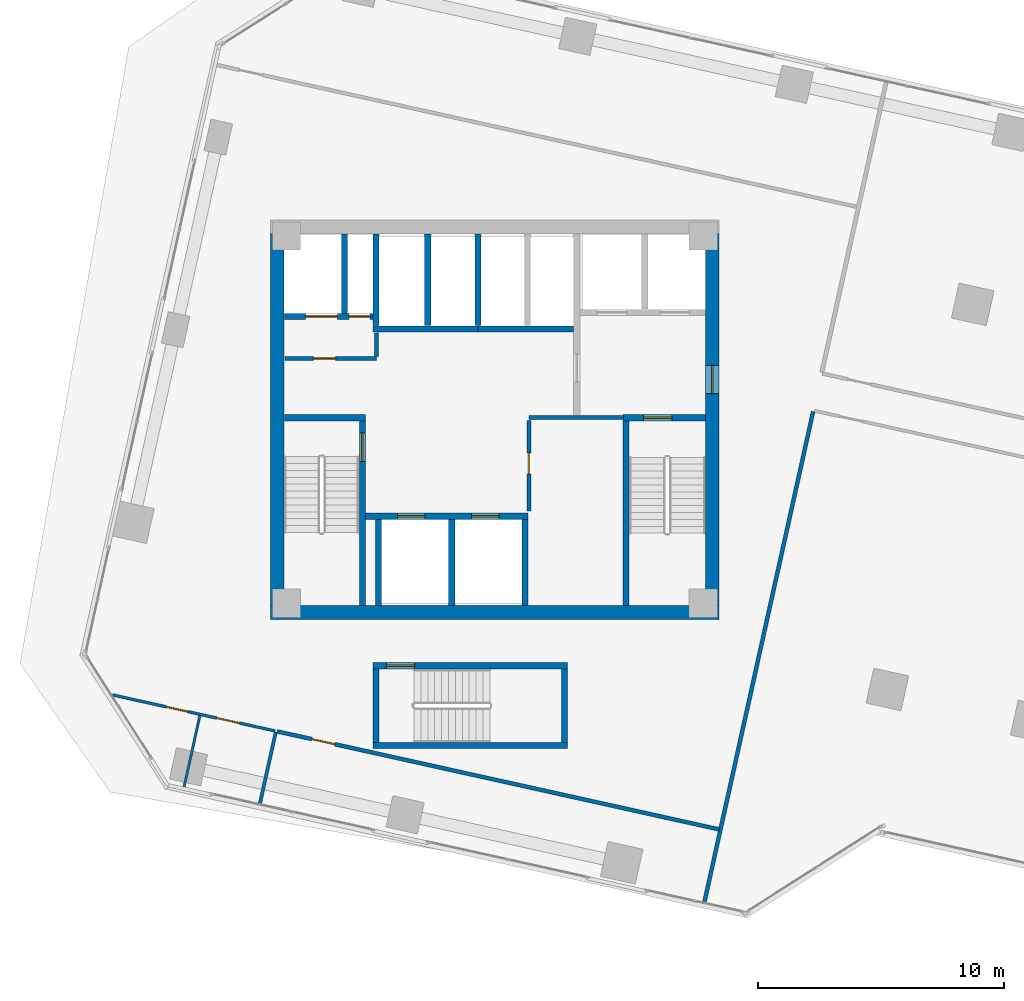
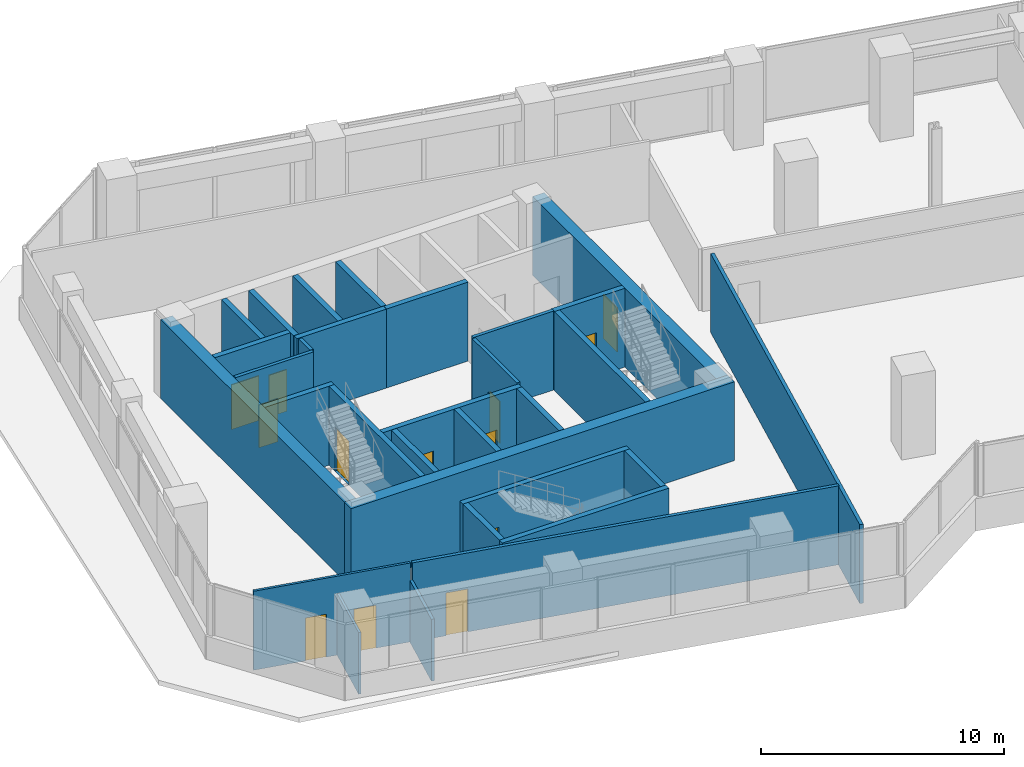
# One storey, part 20 of 25: 31 walls, 13 doors, 13 openings.
"""IFC4 building model written with IfcOpenShell, lengths in metres."""

from ifc_helpers import new_model, si_unit, direction, frame, frame_2d, origin, place, context, subcontext, project, spatial, rectangle, extrude, source, transform, mapped, material, layer, layer_set, type_object, element, fill, save


model = new_model("IFC4")

# Units and contexts
model_context = context("Model", 3, precision=1e-05, world=origin(), true_north=direction((0.0, 1.0)))
body_context = subcontext(model_context, "Body", "Model", "MODEL_VIEW")
ifc_project = project(units=[si_unit("LENGTHUNIT", "METRE"), si_unit("AREAUNIT", "SQUARE_METRE"), si_unit("VOLUMEUNIT", "CUBIC_METRE"), si_unit("PLANEANGLEUNIT", "RADIAN"), si_unit("MASSUNIT", "GRAM", prefix="KILO")], contexts=[model_context])

# Site, building, storey
site_placement = place(None, origin())
site = spatial("IfcSite", under=ifc_project, at=site_placement, CompositionType="ELEMENT")
building_placement = place(site_placement, origin())
building = spatial("IfcBuilding", under=site, at=building_placement, Name="Torre Montelarca", CompositionType="ELEMENT")
storey_placement = place(building_placement, frame((0.0, 0.0, 87.39990234375)))
storey = spatial("IfcBuildingStorey", under=building, at=storey_placement, Name="L19", CompositionType="ELEMENT", Elevation=87.39990234375)

# Wall, opening, door
ifc_material_1 = material(Name="Concrete C40/50", Category="concrete")
ifc_layer_1 = layer(ifc_material_1, 0.25, Name="Concrete C40/50", Category="concrete")
ifc_layer_set_1 = layer_set([ifc_layer_1], Name="Concrete C40/50")
wall_type_1 = type_object("IfcWallType", Name="CW-SHAFT-250", PredefinedType="SHEAR", material=ifc_layer_set_1)
wall_1_placement = place(storey_placement, frame((12.625, 24.4599609375, 0.0), z_axis=(0.0, 0.0, 1.0), x_axis=(0.0, 1.0, 0.0)))
wall_1 = element("IfcWall", 1, at=wall_1_placement, inside=storey, type_object=wall_type_1, Name="L19 Core Shear Wall SH-ST1-E", PredefinedType="SHEAR", context=body_context, shape_type="SweptSolid", body=[
    extrude(rectangle(XDim=7.489990234375, YDim=0.25, at=frame_2d((3.7451171875, 0.0))), origin(), (0.0, 0.0, 1.0), 3.960205078125),
])
opening_1_placement = place(wall_1_placement, frame((5.85009765625, 0.0, 0.0)))
opening_1 = element("IfcOpeningElement", 2, at=opening_1_placement, cuts=wall_1, Name="Opening FD-ST1", PredefinedType="OPENING", context=body_context, shape_type="SweptSolid", body=[
    extrude(rectangle(XDim=1.14990234375, YDim=2.199951171875, at=frame_2d((0.574951171875, 1.10009765625))), frame((0.0, 0.135009765625, 0.0), z_axis=(0.0, -1.0, 0.0), x_axis=(1.0, 0.0, 0.0)), (0.0, 0.0, 1.0), 0.27001953125),
])
ifc_material_2 = material(Name="Galvanized steel fire door", Category="steel")
door_type_1 = type_object("IfcDoorType", Name="DR-STAIR-115", OperationType="NOTDEFINED", PredefinedType="DOOR", material=ifc_material_2)
shared_shape_1 = source(origin(), body_context, "Body", "SweptSolid", [
    extrude(rectangle(XDim=1.14990234375, YDim=2.199951171875, at=frame_2d((0.574951171875, 1.10009765625))), frame((0.0, 0.02490234375, 0.0), z_axis=(0.0, -1.0, 0.0), x_axis=(1.0, 0.0, 0.0)), (0.0, 0.0, 1.0), 0.050048828125),
])
door_1_placement = place(opening_1_placement, origin())
door_1 = element("IfcDoor", 3, at=door_1_placement, inside=storey, type_object=door_type_1, Name="L19 Exit Stair ST1 Fire Door", OperationType="SINGLE_SWING_RIGHT", OverallHeight=2.199951171875, OverallWidth=1.14990234375, PredefinedType="DOOR", context=body_context, shape_type="MappedRepresentation", body=[
    mapped(shared_shape_1, transform((0.0, 0.0, 0.0), scale=1.0)),
])
fill(opening_1, door_1)

# Walls
wall_2_placement = place(storey_placement, frame((9.4599609375, 32.074951171875, 0.0), z_axis=(0.0, 0.0, 1.0), x_axis=(1.0, 0.0, 0.0)))
element("IfcWall", 4, at=wall_2_placement, inside=storey, type_object=wall_type_1, Name="L19 Core Shear Wall SH-ST1-N", PredefinedType="SHEAR", context=body_context, shape_type="SweptSolid", body=[
    extrude(rectangle(XDim=3.2900390625, YDim=0.25, at=frame_2d((1.64501953125, 0.0))), origin(), (0.0, 0.0, 1.0), 3.960205078125),
])
wall_3_placement = place(storey_placement, frame((23.31494140625, 24.4599609375, 0.0), z_axis=(0.0, 0.0, 1.0), x_axis=(0.0, 1.0, 0.0)))
element("IfcWall", 5, at=wall_3_placement, inside=storey, type_object=wall_type_1, Name="L19 Core Shear Wall SH-ST2-W", PredefinedType="SHEAR", context=body_context, shape_type="SweptSolid", body=[
    extrude(rectangle(XDim=7.489990234375, YDim=0.25, at=frame_2d((3.7451171875, 0.0))), origin(), (0.0, 0.0, 1.0), 3.960205078125),
])

# Wall, opening, door
wall_4_placement = place(storey_placement, frame((23.18994140625, 32.074951171875, 0.0), z_axis=(0.0, 0.0, 1.0), x_axis=(1.0, 0.0, 0.0)))
wall_4 = element("IfcWall", 6, at=wall_4_placement, inside=storey, type_object=wall_type_1, Name="L19 Core Shear Wall SH-ST2-N", PredefinedType="SHEAR", context=body_context, shape_type="SweptSolid", body=[
    extrude(rectangle(XDim=3.35009765625, YDim=0.25, at=frame_2d((1.675048828125, 0.0))), origin(), (0.0, 0.0, 1.0), 3.960205078125),
])
opening_2_placement = place(wall_4_placement, frame((0.85009765625, 0.0, 0.0)))
opening_2 = element("IfcOpeningElement", 7, at=opening_2_placement, cuts=wall_4, Name="Opening FD-ST1", PredefinedType="OPENING", context=body_context, shape_type="SweptSolid", body=[
    extrude(rectangle(XDim=1.14990234375, YDim=2.199951171875, at=frame_2d((0.574951171875, 1.10009765625))), frame((0.0, 0.135009765625, 0.0), z_axis=(0.0, -1.0, 0.0), x_axis=(1.0, 0.0, 0.0)), (0.0, 0.0, 1.0), 0.27001953125),
])
door_2_placement = place(opening_2_placement, origin())
door_2 = element("IfcDoor", 8, at=door_2_placement, inside=storey, type_object=door_type_1, Name="L19 Exit Stair ST2 Fire Door", OperationType="SINGLE_SWING_RIGHT", OverallHeight=2.199951171875, OverallWidth=1.14990234375, PredefinedType="DOOR", context=body_context, shape_type="MappedRepresentation", body=[
    mapped(shared_shape_1, transform((0.0, 0.0, 0.0), scale=1.0)),
])
fill(opening_2, door_2)

# Wall, openings, doors
wall_5_placement = place(storey_placement, frame((9.4599609375, 36.179931640625, 0.0), z_axis=(0.0, 0.0, 1.0), x_axis=(1.0, 0.0, 0.0)))
wall_5 = element("IfcWall", 9, at=wall_5_placement, inside=storey, type_object=wall_type_1, Name="L19 Core Shear Wall SH-SV1-S", PredefinedType="SHEAR", context=body_context, shape_type="SweptSolid", body=[
    extrude(rectangle(XDim=3.7900390625, YDim=0.25, at=frame_2d((1.89501953125, 0.0))), origin(), (0.0, 0.0, 1.0), 3.960205078125),
])
opening_3_placement = place(wall_5_placement, frame((2.6201171875, 0.0, 0.0)))
opening_3 = element("IfcOpeningElement", 10, at=opening_3_placement, cuts=wall_5, Name="Opening FD-085", PredefinedType="OPENING", context=body_context, shape_type="SweptSolid", body=[
    extrude(rectangle(XDim=0.85009765625, YDim=2.10009765625, at=frame_2d((0.425048828125, 1.050048828125))), frame((0.0, 0.135009765625, 0.0), z_axis=(0.0, -1.0, 0.0), x_axis=(1.0, 0.0, 0.0)), (0.0, 0.0, 1.0), 0.27001953125),
])
opening_4_placement = place(wall_5_placement, frame((0.85009765625, 0.0, 0.0)))
opening_4 = element("IfcOpeningElement", 11, at=opening_4_placement, cuts=wall_5, Name="Opening LD-130", PredefinedType="OPENING", context=body_context, shape_type="SweptSolid", body=[
    extrude(rectangle(XDim=1.300048828125, YDim=2.25, at=frame_2d((0.64990234375, 1.125))), frame((0.0, 0.135009765625, 0.0), z_axis=(0.0, -1.0, 0.0), x_axis=(1.0, 0.0, 0.0)), (0.0, 0.0, 1.0), 0.27001953125),
])
ifc_material_3 = material(Name="Steel riser access fire door", Category="steel")
door_type_2 = type_object("IfcDoorType", Name="DR-RISER-085", OperationType="NOTDEFINED", PredefinedType="DOOR", material=ifc_material_3)
shared_shape_2 = source(origin(), body_context, "Body", "SweptSolid", [
    extrude(rectangle(XDim=0.85009765625, YDim=2.10009765625, at=frame_2d((0.425048828125, 1.050048828125))), frame((0.0, 0.02490234375, 0.0), z_axis=(0.0, -1.0, 0.0), x_axis=(1.0, 0.0, 0.0)), (0.0, 0.0, 1.0), 0.050048828125),
])
door_3_placement = place(opening_3_placement, origin())
door_3 = element("IfcDoor", 12, at=door_3_placement, inside=storey, type_object=door_type_2, Name="L19 Electrical Riser Shaft Access Door", OperationType="SINGLE_SWING_RIGHT", OverallHeight=2.10009765625, OverallWidth=0.85009765625, PredefinedType="DOOR", context=body_context, shape_type="MappedRepresentation", body=[
    mapped(shared_shape_2, transform((0.0, 0.0, 0.0), scale=1.0)),
])
fill(opening_3, door_3)
ifc_material_4 = material(Name="Brushed stainless steel AISI 316", Category="steel")
door_type_3 = type_object("IfcDoorType", Name="DR-LIFT-130", OperationType="SLIDING_TO_LEFT", PredefinedType="DOOR", material=ifc_material_4)
shared_shape_3 = source(origin(), body_context, "Body", "SweptSolid", [
    extrude(rectangle(XDim=1.300048828125, YDim=2.25, at=frame_2d((0.64990234375, 1.125))), frame((0.0, 0.02490234375, 0.0), z_axis=(0.0, -1.0, 0.0), x_axis=(1.0, 0.0, 0.0)), (0.0, 0.0, 1.0), 0.050048828125),
])
door_4_placement = place(opening_4_placement, origin())
door_4 = element("IfcDoor", 13, at=door_4_placement, inside=storey, type_object=door_type_3, Name="L19 Lift Landing Sliding Door SV-1", OperationType="SLIDING_TO_LEFT", OverallHeight=2.25, OverallWidth=1.300048828125, PredefinedType="DOOR", context=body_context, shape_type="MappedRepresentation", body=[
    mapped(shared_shape_3, transform((0.0, 0.0, 0.0), scale=1.0)),
])
fill(opening_4, door_4)

# Wall
wall_6_placement = place(storey_placement, frame((11.89990234375, 36.31005859375, 0.0), z_axis=(0.0, 0.0, 1.0), x_axis=(0.0, 1.0, 0.0)))
element("IfcWall", 14, at=wall_6_placement, inside=storey, type_object=wall_type_1, Name="L19 Core Shear Wall SH-SV1-E", PredefinedType="SHEAR", context=body_context, shape_type="SweptSolid", body=[
    extrude(rectangle(XDim=3.22998046875, YDim=0.25, at=frame_2d((1.614990234375, 0.0))), origin(), (0.0, 0.0, 1.0), 3.960205078125),
])

# Wall, openings, doors
wall_7_placement = place(storey_placement, frame((12.6298828125, 28.080078125, 0.0), z_axis=(0.0, 0.0, 1.0), x_axis=(1.0, 0.0, 0.0)))
wall_7 = element("IfcWall", 15, at=wall_7_placement, inside=storey, type_object=wall_type_1, Name="L19 Core Shear Wall SH-PLL-N", PredefinedType="SHEAR", context=body_context, shape_type="SweptSolid", body=[
    extrude(rectangle(XDim=6.710205078125, YDim=0.25, at=frame_2d((3.35498046875, 0.0))), origin(), (0.0, 0.0, 1.0), 3.960205078125),
])
opening_5_placement = place(wall_7_placement, frame((1.429931640625, 0.0, 0.0)))
opening_5 = element("IfcOpeningElement", 16, at=opening_5_placement, cuts=wall_7, Name="Opening LD-110", PredefinedType="OPENING", context=body_context, shape_type="SweptSolid", body=[
    extrude(rectangle(XDim=1.10009765625, YDim=2.199951171875, at=frame_2d((0.550048828125, 1.10009765625))), frame((0.0, 0.135009765625, 0.0), z_axis=(0.0, -1.0, 0.0), x_axis=(1.0, 0.0, 0.0)), (0.0, 0.0, 1.0), 0.27001953125),
])
opening_6_placement = place(wall_7_placement, frame((4.429931640625, 0.0, 0.0)))
opening_6 = element("IfcOpeningElement", 17, at=opening_6_placement, cuts=wall_7, Name="Opening LD-110", PredefinedType="OPENING", context=body_context, shape_type="SweptSolid", body=[
    extrude(rectangle(XDim=1.10009765625, YDim=2.199951171875, at=frame_2d((0.550048828125, 1.10009765625))), frame((0.0, 0.135009765625, 0.0), z_axis=(0.0, -1.0, 0.0), x_axis=(1.0, 0.0, 0.0)), (0.0, 0.0, 1.0), 0.27001953125),
])
door_type_4 = type_object("IfcDoorType", Name="DR-LIFT-110", OperationType="SLIDING_TO_LEFT", PredefinedType="DOOR", material=ifc_material_4)
shared_shape_4 = source(origin(), body_context, "Body", "SweptSolid", [
    extrude(rectangle(XDim=1.10009765625, YDim=2.199951171875, at=frame_2d((0.550048828125, 1.10009765625))), frame((0.0, 0.02490234375, 0.0), z_axis=(0.0, -1.0, 0.0), x_axis=(1.0, 0.0, 0.0)), (0.0, 0.0, 1.0), 0.050048828125),
])
door_5_placement = place(opening_5_placement, origin())
door_5 = element("IfcDoor", 18, at=door_5_placement, inside=storey, type_object=door_type_4, Name="L19 Lift Landing Sliding Door PL-L1", OperationType="SLIDING_TO_LEFT", OverallHeight=2.199951171875, OverallWidth=1.10009765625, PredefinedType="DOOR", context=body_context, shape_type="MappedRepresentation", body=[
    mapped(shared_shape_4, transform((0.0, 0.0, 0.0), scale=1.0)),
])
fill(opening_5, door_5)
door_6_placement = place(opening_6_placement, origin())
door_6 = element("IfcDoor", 19, at=door_6_placement, inside=storey, type_object=door_type_4, Name="L19 Lift Landing Sliding Door PL-L2", OperationType="SLIDING_TO_RIGHT", OverallHeight=2.199951171875, OverallWidth=1.10009765625, PredefinedType="DOOR", context=body_context, shape_type="MappedRepresentation", body=[
    mapped(shared_shape_4, transform((0.0, 0.0, 0.0), scale=1.0)),
])
fill(opening_6, door_6)

# Walls
for number, where, z_axis, x_axis, name in (
    (20, (13.280029296875, 24.4599609375, 0.0), (0.0, 0.0, 1.0), (0.0, 1.0, 0.0), "L19 Core Shear Wall SH-PLL-W"),
    (21, (16.25, 24.4599609375, 0.0), (0.0, 0.0, 1.0), (0.0, 1.0, 0.0), "L19 Core Shear Wall SH-PLL-M"),
    (22, (19.219970703125, 24.4599609375, 0.0), (0.0, 0.0, 1.0), (0.0, 1.0, 0.0), "L19 Core Shear Wall SH-PLL-E"),
):
    element("IfcWall", number, at=place(storey_placement, frame(where, z_axis=z_axis, x_axis=x_axis)), inside=storey, type_object=wall_type_1, Name=name, PredefinedType="SHEAR", context=body_context, shape_type="SweptSolid", body=[
        extrude(rectangle(XDim=3.489990234375, YDim=0.25, at=frame_2d((1.7451171875, 0.0))), origin(), (0.0, 0.0, 1.0), 3.960205078125),
    ])
wall_8_placement = place(storey_placement, frame((13.06005859375, 35.679931640625, 0.0), z_axis=(0.0, 0.0, 1.0), x_axis=(1.0, 0.0, 0.0)))
element("IfcWall", 23, at=wall_8_placement, inside=storey, type_object=wall_type_1, Name="L19 Core Shear Wall SH-PLM-S", PredefinedType="SHEAR", context=body_context, shape_type="SweptSolid", body=[
    extrude(rectangle(XDim=4.25, YDim=0.25, at=frame_2d((2.125, 0.0))), origin(), (0.0, 0.0, 1.0), 3.960205078125),
])
for number, where, z_axis, x_axis, name in (
    (24, (13.179931640625, 35.81005859375, 0.0), (0.0, 0.0, 1.0), (0.0, 1.0, 0.0), "L19 Core Shear Wall SH-PLM-W"),
    (25, (15.280029296875, 35.81005859375, 0.0), (0.0, 0.0, 1.0), (0.0, 1.0, 0.0), "L19 Core Shear Wall SH-PLM-M"),
):
    element("IfcWall", number, at=place(storey_placement, frame(where, z_axis=z_axis, x_axis=x_axis)), inside=storey, type_object=wall_type_1, Name=name, PredefinedType="SHEAR", context=body_context, shape_type="SweptSolid", body=[
        extrude(rectangle(XDim=3.72998046875, YDim=0.25, at=frame_2d((1.864990234375, 0.0))), origin(), (0.0, 0.0, 1.0), 3.960205078125),
    ])
wall_9_placement = place(storey_placement, frame((17.320068359375, 35.679931640625, 0.0), z_axis=(0.0, 0.0, 1.0), x_axis=(1.0, 0.0, 0.0)))
element("IfcWall", 26, at=wall_9_placement, inside=storey, type_object=wall_type_1, Name="L19 Core Shear Wall SH-PLH-S", PredefinedType="SHEAR", context=body_context, shape_type="SweptSolid", body=[
    extrude(rectangle(XDim=3.869873046875, YDim=0.25, at=frame_2d((1.93505859375, 0.0))), origin(), (0.0, 0.0, 1.0), 3.960205078125),
])
wall_10_placement = place(storey_placement, frame((17.320068359375, 35.81005859375, 0.0), z_axis=(0.0, 0.0, 1.0), x_axis=(0.0, 1.0, 0.0)))
element("IfcWall", 27, at=wall_10_placement, inside=storey, type_object=wall_type_1, Name="L19 Core Shear Wall SH-PLH-W", PredefinedType="SHEAR", context=body_context, shape_type="SweptSolid", body=[
    extrude(rectangle(XDim=3.72998046875, YDim=0.25, at=frame_2d((1.864990234375, 0.0))), origin(), (0.0, 0.0, 1.0), 3.960205078125),
])
for number, where, z_axis, x_axis, name in (
    (28, (13.175048828125, 18.89990234375, 0.0), (0.0, 0.0, 1.0), (0.0, 1.0, 0.0), "L19 Core Shear Wall SH-ST3-W"),
    (29, (20.824951171875, 18.89990234375, 0.0), (0.0, 0.0, 1.0), (0.0, 1.0, 0.0), "L19 Core Shear Wall SH-ST3-E"),
):
    element("IfcWall", number, at=place(storey_placement, frame(where, z_axis=z_axis, x_axis=x_axis)), inside=storey, type_object=wall_type_1, Name=name, PredefinedType="SHEAR", context=body_context, shape_type="SweptSolid", body=[
        extrude(rectangle(XDim=2.989990234375, YDim=0.25, at=frame_2d((1.4951171875, 0.0))), origin(), (0.0, 0.0, 1.0), 3.960205078125),
    ])
wall_11_placement = place(storey_placement, frame((13.050048828125, 18.77490234375, 0.0), z_axis=(0.0, 0.0, 1.0), x_axis=(1.0, 0.0, 0.0)))
element("IfcWall", 30, at=wall_11_placement, inside=storey, type_object=wall_type_1, Name="L19 Core Shear Wall SH-ST3-S", PredefinedType="SHEAR", context=body_context, shape_type="SweptSolid", body=[
    extrude(rectangle(XDim=7.89990234375, YDim=0.25, at=frame_2d((3.949951171875, 0.0))), origin(), (0.0, 0.0, 1.0), 3.960205078125),
])

# Wall, opening, door
wall_12_placement = place(storey_placement, frame((13.050048828125, 22.014892578125, 0.0), z_axis=(0.0, 0.0, 1.0), x_axis=(1.0, 0.0, 0.0)))
wall_12 = element("IfcWall", 31, at=wall_12_placement, inside=storey, type_object=wall_type_1, Name="L19 Core Shear Wall SH-ST3-N", PredefinedType="SHEAR", context=body_context, shape_type="SweptSolid", body=[
    extrude(rectangle(XDim=7.89990234375, YDim=0.25, at=frame_2d((3.949951171875, 0.0))), origin(), (0.0, 0.0, 1.0), 3.960205078125),
])
opening_7_placement = place(wall_12_placement, frame((0.550048828125, 0.0, 0.0)))
opening_7 = element("IfcOpeningElement", 32, at=opening_7_placement, cuts=wall_12, Name="Opening FD-ST1", PredefinedType="OPENING", context=body_context, shape_type="SweptSolid", body=[
    extrude(rectangle(XDim=1.14990234375, YDim=2.199951171875, at=frame_2d((0.574951171875, 1.10009765625))), frame((0.0, 0.135009765625, 0.0), z_axis=(0.0, -1.0, 0.0), x_axis=(1.0, 0.0, 0.0)), (0.0, 0.0, 1.0), 0.27001953125),
])
door_7_placement = place(opening_7_placement, origin())
door_7 = element("IfcDoor", 33, at=door_7_placement, inside=storey, type_object=door_type_1, Name="L19 Exit Stair ST3 Fire Door", OperationType="SINGLE_SWING_LEFT", OverallHeight=2.199951171875, OverallWidth=1.14990234375, PredefinedType="DOOR", context=body_context, shape_type="MappedRepresentation", body=[
    mapped(shared_shape_1, transform((0.0, 0.0, 0.0), scale=1.0)),
])
fill(opening_7, door_7)

# Wall
ifc_material_5 = material(Name="Concrete C70/85", Category="concrete")
ifc_layer_2 = layer(ifc_material_5, 0.550048828125, Name="Concrete C70/85", Category="concrete")
ifc_layer_set_2 = layer_set([ifc_layer_2], Name="Concrete C70/85")
wall_type_2 = type_object("IfcWallType", Name="CW-SHEAR-550", PredefinedType="SHEAR", material=ifc_layer_set_2)
wall_13_placement = place(storey_placement, frame((9.175048828125, 24.449951171875, 0.0), z_axis=(0.0, 0.0, 1.0), x_axis=(0.0, 1.0, 0.0)))
element("IfcWall", 34, at=wall_13_placement, inside=storey, type_object=wall_type_2, Name="L19 Core Shear Wall CW-W", PredefinedType="SHEAR", context=body_context, shape_type="SweptSolid", body=[
    extrude(rectangle(XDim=15.10009765625, YDim=0.550048828125, at=frame_2d((7.550048828125, 0.0))), origin(), (0.0, 0.0, 1.0), 3.960205078125),
])

# Wall, opening, door
wall_14_placement = place(storey_placement, frame((26.824951171875, 24.449951171875, 0.0), z_axis=(0.0, 0.0, 1.0), x_axis=(0.0, 1.0, 0.0)))
wall_14 = element("IfcWall", 35, at=wall_14_placement, inside=storey, type_object=wall_type_2, Name="L19 Core Shear Wall CW-E", PredefinedType="SHEAR", context=body_context, shape_type="SweptSolid", body=[
    extrude(rectangle(XDim=15.10009765625, YDim=0.550048828125, at=frame_2d((7.550048828125, 0.0))), origin(), (0.0, 0.0, 1.0), 3.960205078125),
])
opening_8_placement = place(wall_14_placement, frame((8.60009765625, 0.0, 0.0)))
opening_8 = element("IfcOpeningElement", 36, at=opening_8_placement, cuts=wall_14, Name="Opening FD-LB1", PredefinedType="OPENING", context=body_context, shape_type="SweptSolid", body=[
    extrude(rectangle(XDim=1.14990234375, YDim=2.199951171875, at=frame_2d((0.574951171875, 1.10009765625))), frame((0.0, 0.28515625, 0.0), z_axis=(0.0, -1.0, 0.0), x_axis=(1.0, 0.0, 0.0)), (0.0, 0.0, 1.0), 0.570068359375),
])
ifc_material_6 = material(Name="Acoustic timber-veneered fire door", Category="wood")
door_type_5 = type_object("IfcDoorType", Name="DR-LOBBY-115", OperationType="NOTDEFINED", PredefinedType="DOOR", material=ifc_material_6)
shared_shape_5 = source(origin(), body_context, "Body", "SweptSolid", [
    extrude(rectangle(XDim=1.14990234375, YDim=2.199951171875, at=frame_2d((0.574951171875, 1.10009765625))), frame((0.0, 0.02490234375, 0.0), z_axis=(0.0, -1.0, 0.0), x_axis=(1.0, 0.0, 0.0)), (0.0, 0.0, 1.0), 0.050048828125),
])
door_8_placement = place(opening_8_placement, origin())
door_8 = element("IfcDoor", 37, at=door_8_placement, inside=storey, type_object=door_type_5, Name="L19 Firefighting Lift Lobby Corridor Fire Door", OperationType="SINGLE_SWING_RIGHT", OverallHeight=2.199951171875, OverallWidth=1.14990234375, PredefinedType="DOOR", context=body_context, shape_type="MappedRepresentation", body=[
    mapped(shared_shape_5, transform((0.0, 0.0, 0.0), scale=1.0)),
])
fill(opening_8, door_8)

# Wall
wall_15_placement = place(storey_placement, frame((8.89990234375, 24.175048828125, 0.0), z_axis=(0.0, 0.0, 1.0), x_axis=(1.0, 0.0, 0.0)))
element("IfcWall", 38, at=wall_15_placement, inside=storey, type_object=wall_type_2, Name="L19 Core Shear Wall CW-S1", PredefinedType="SHEAR", context=body_context, shape_type="SweptSolid", body=[
    extrude(rectangle(XDim=18.2001953125, YDim=0.550048828125, at=frame_2d((9.10009765625, 0.0))), origin(), (0.0, 0.0, 1.0), 3.960205078125),
])

# Wall, opening, door
ifc_material_7 = material(Name="Gypsum plasterboard on steel stud", Category="steel")
ifc_layer_3 = layer(ifc_material_7, 0.159912109375, Name="Gypsum plasterboard on steel stud", Category="steel")
ifc_layer_set_3 = layer_set([ifc_layer_3], Name="Gypsum plasterboard on steel stud")
wall_type_3 = type_object("IfcWallType", Name="PW-FIRE-160", PredefinedType="PARTITIONING", material=ifc_layer_set_3)
wall_16_placement = place(storey_placement, frame((9.489990234375, 34.47998046875, 0.0), z_axis=(0.0, 0.0, 1.0), x_axis=(1.0, 0.0, 0.0)))
wall_16 = element("IfcWall", 39, at=wall_16_placement, inside=storey, type_object=wall_type_3, Name="L19 Interior Partition CW-L19-SVS", PredefinedType="PARTITIONING", context=body_context, shape_type="SweptSolid", body=[
    extrude(rectangle(XDim=3.699951171875, YDim=0.159912109375, at=frame_2d((1.85009765625, 0.0))), origin(), (0.0, 0.0, 1.0), 3.960205078125),
])
opening_9_placement = place(wall_16_placement, frame((1.14990234375, 0.0, 0.0)))
opening_9 = element("IfcOpeningElement", 40, at=opening_9_placement, cuts=wall_16, Name="Opening FD-090", PredefinedType="OPENING", context=body_context, shape_type="SweptSolid", body=[
    extrude(rectangle(XDim=0.89990234375, YDim=2.14990234375, at=frame_2d((0.449951171875, 1.074951171875))), frame((0.0, 0.08984375, 0.0), z_axis=(0.0, -1.0, 0.0), x_axis=(1.0, 0.0, 0.0)), (0.0, 0.0, 1.0), 0.179931640625),
])
ifc_material_8 = material(Name="Steel service fire door", Category="steel")
door_type_6 = type_object("IfcDoorType", Name="DR-FIRE-090", OperationType="NOTDEFINED", PredefinedType="DOOR", material=ifc_material_8)
shared_shape_6 = source(origin(), body_context, "Body", "SweptSolid", [
    extrude(rectangle(XDim=0.89990234375, YDim=2.14990234375, at=frame_2d((0.449951171875, 1.074951171875))), frame((0.0, 0.02490234375, 0.0), z_axis=(0.0, -1.0, 0.0), x_axis=(1.0, 0.0, 0.0)), (0.0, 0.0, 1.0), 0.050048828125),
])
door_9_placement = place(opening_9_placement, origin())
door_9 = element("IfcDoor", 41, at=door_9_placement, inside=storey, type_object=door_type_6, Name="L19 Interior Door 01", OperationType="SINGLE_SWING_RIGHT", OverallHeight=2.14990234375, OverallWidth=0.89990234375, PredefinedType="DOOR", context=body_context, shape_type="MappedRepresentation", body=[
    mapped(shared_shape_6, transform((0.0, 0.0, 0.0), scale=1.0)),
])
fill(opening_9, door_9)

# Walls
wall_17_placement = place(storey_placement, frame((13.199951171875, 34.570068359375, 0.0), z_axis=(0.0, 0.0, 1.0), x_axis=(0.0, 1.0, 0.0)))
element("IfcWall", 42, at=wall_17_placement, inside=storey, type_object=wall_type_3, Name="L19 Interior Partition CW-L19-SVE", PredefinedType="PARTITIONING", context=body_context, shape_type="SweptSolid", body=[
    extrude(rectangle(XDim=0.93994140625, YDim=0.159912109375, at=frame_2d((0.469970703125, 0.0))), origin(), (0.0, 0.0, 1.0), 3.960205078125),
])
wall_18_placement = place(storey_placement, frame((19.389892578125, 32.080078125, 0.0), z_axis=(0.0, 0.0, 1.0), x_axis=(1.0, 0.0, 0.0)))
element("IfcWall", 43, at=wall_18_placement, inside=storey, type_object=wall_type_3, Name="L19 Interior Partition CW-L19-SEN", PredefinedType="PARTITIONING", context=body_context, shape_type="SweptSolid", body=[
    extrude(rectangle(XDim=3.820068359375, YDim=0.159912109375, at=frame_2d((1.91015625, 0.0))), origin(), (0.0, 0.0, 1.0), 3.960205078125),
])

# Wall, opening, door
wall_19_placement = place(storey_placement, frame((19.3798828125, 28.2900390625, 0.0), z_axis=(0.0, 0.0, 1.0), x_axis=(0.0, 1.0, 0.0)))
wall_19 = element("IfcWall", 44, at=wall_19_placement, inside=storey, type_object=wall_type_3, Name="L19 Interior Partition CW-L19-SEW", PredefinedType="PARTITIONING", context=body_context, shape_type="SweptSolid", body=[
    extrude(rectangle(XDim=3.669921875, YDim=0.159912109375, at=frame_2d((1.8349609375, 0.0))), origin(), (0.0, 0.0, 1.0), 3.960205078125),
])
opening_10_placement = place(wall_19_placement, frame((1.5, 0.0, 0.0)))
opening_10 = element("IfcOpeningElement", 45, at=opening_10_placement, cuts=wall_19, Name="Opening FD-085", PredefinedType="OPENING", context=body_context, shape_type="SweptSolid", body=[
    extrude(rectangle(XDim=0.85009765625, YDim=2.10009765625, at=frame_2d((0.425048828125, 1.050048828125))), frame((0.0, 0.08984375, 0.0), z_axis=(0.0, -1.0, 0.0), x_axis=(1.0, 0.0, 0.0)), (0.0, 0.0, 1.0), 0.179931640625),
])
door_10_placement = place(opening_10_placement, origin())
door_10 = element("IfcDoor", 46, at=door_10_placement, inside=storey, type_object=door_type_2, Name="L19 Interior Door 02", OperationType="SINGLE_SWING_RIGHT", OverallHeight=2.10009765625, OverallWidth=0.85009765625, PredefinedType="DOOR", context=body_context, shape_type="MappedRepresentation", body=[
    mapped(shared_shape_2, transform((0.0, 0.0, 0.0), scale=1.0)),
])
fill(opening_10, door_10)

wall_20_placement = place(storey_placement, frame((9.159912109375, 19.35107421875, 0.0), z_axis=(0.0, 0.0, 1.0), x_axis=(0.97629657883, -0.216437035106, 0.0)))
wall_20 = element("IfcWall", 47, at=wall_20_placement, inside=storey, type_object=wall_type_3, Name="L19 Interior Partition W-L19-SOCCN", PredefinedType="PARTITIONING", context=body_context, shape_type="SweptSolid", body=[
    extrude(rectangle(XDim=18.3896484375, YDim=0.159912109375, at=frame_2d((9.19482421875, 0.0))), origin(), (0.0, 0.0, 1.0), 3.960205078125),
])
opening_11_placement = place(wall_20_placement, frame((1.449951171875, 0.0, 0.0)))
opening_11 = element("IfcOpeningElement", 48, at=opening_11_placement, cuts=wall_20, Name="Opening FD-095", PredefinedType="OPENING", context=body_context, shape_type="SweptSolid", body=[
    extrude(rectangle(XDim=0.949951171875, YDim=2.14990234375, at=frame_2d((0.47509765625, 1.074951171875))), frame((0.0, 0.08984375, 0.0), z_axis=(0.0, -1.0, 0.0), x_axis=(1.0, 0.0, 0.0)), (0.0, 0.0, 1.0), 0.179931640625),
])
ifc_material_9 = material(Name="Timber fire-rated room door", Category="wood")
door_type_7 = type_object("IfcDoorType", Name="DR-FIRE-095", OperationType="NOTDEFINED", PredefinedType="DOOR", material=ifc_material_9)
shared_shape_7 = source(origin(), body_context, "Body", "SweptSolid", [
    extrude(rectangle(XDim=0.949951171875, YDim=2.14990234375, at=frame_2d((0.47509765625, 1.074951171875))), frame((0.0, 0.02490234375, 0.0), z_axis=(0.0, -1.0, 0.0), x_axis=(1.0, 0.0, 0.0)), (0.0, 0.0, 1.0), 0.050048828125),
])
door_11_placement = place(opening_11_placement, origin())
door_11 = element("IfcDoor", 49, at=door_11_placement, inside=storey, type_object=door_type_7, Name="L19 Interior Door 05", OperationType="SINGLE_SWING_RIGHT", OverallHeight=2.14990234375, OverallWidth=0.949951171875, PredefinedType="DOOR", context=body_context, shape_type="MappedRepresentation", body=[
    mapped(shared_shape_7, transform((0.0, 0.0, 0.0), scale=1.0)),
])
fill(opening_11, door_11)

# Walls
wall_21_placement = place(storey_placement, frame((26.503662109375, 12.433349609375, 0.0), z_axis=(0.0, 0.0, 1.0), x_axis=(0.216434476574, 0.976297146032, 0.0)))
element("IfcWall", 50, at=wall_21_placement, inside=storey, type_object=wall_type_3, Name="L19 Interior Partition W-L19-ECS", PredefinedType="PARTITIONING", context=body_context, shape_type="SweptSolid", body=[
    extrude(rectangle(XDim=20.3798828125, YDim=0.159912109375, at=frame_2d((10.18994140625, 0.0))), origin(), (0.0, 0.0, 1.0), 3.960205078125),
])
ifc_material_10 = material(Name="Acoustic laminated glass partition", Category="glass")
ifc_layer_4 = layer(ifc_material_10, 0.10009765625, Name="Acoustic laminated glass partition", Category="glass")
ifc_layer_set_4 = layer_set([ifc_layer_4], Name="Acoustic laminated glass partition")
wall_type_4 = type_object("IfcWallType", Name="PW-GLAZ-100", PredefinedType="PARTITIONING", material=ifc_layer_set_4)
wall_22_placement = place(storey_placement, frame((5.39599609375, 17.11279296875, 0.0), z_axis=(0.0, 0.0, 1.0), x_axis=(0.216441341477, 0.976295624132, 0.0)))
element("IfcWall", 51, at=wall_22_placement, inside=storey, type_object=wall_type_4, Name="L19 Interior Partition W-L19-WCD", PredefinedType="PARTITIONING", context=body_context, shape_type="SweptSolid", body=[
    extrude(rectangle(XDim=2.959716796875, YDim=0.10009765625, at=frame_2d((1.47998046875, 0.0))), origin(), (0.0, 0.0, 1.0), 3.09521484375),
])

# Wall, openings, doors
ifc_layer_5 = layer(ifc_material_7, 0.114990234375, Name="Gypsum plasterboard on steel stud", Category="steel")
ifc_layer_set_5 = layer_set([ifc_layer_5], Name="Gypsum plasterboard on steel stud")
wall_type_5 = type_object("IfcWallType", Name="PW-PART-115", PredefinedType="PARTITIONING", material=ifc_layer_set_5)
wall_23_placement = place(storey_placement, frame((2.48974609375, 20.829833984375, 0.0), z_axis=(0.0, 0.0, 1.0), x_axis=(0.976294141914, -0.216448027167, 0.0)))
wall_23 = element("IfcWall", 52, at=wall_23_placement, inside=storey, type_object=wall_type_5, Name="L19 Interior Partition W-L19-WCN", PredefinedType="PARTITIONING", context=body_context, shape_type="SweptSolid", body=[
    extrude(rectangle(XDim=6.751953125, YDim=0.114990234375, at=frame_2d((3.3759765625, 0.0))), origin(), (0.0, 0.0, 1.0), 3.960205078125),
])
opening_12_placement = place(wall_23_placement, frame((2.22998046875, 0.0, 0.0)))
opening_12 = element("IfcOpeningElement", 53, at=opening_12_placement, cuts=wall_23, Name="Opening ID-090", PredefinedType="OPENING", context=body_context, shape_type="SweptSolid", body=[
    extrude(rectangle(XDim=0.89990234375, YDim=2.14990234375, at=frame_2d((0.449951171875, 1.074951171875))), frame((0.0, 0.0673828125, 0.0), z_axis=(0.0, -1.0, 0.0), x_axis=(1.0, 0.0, 0.0)), (0.0, 0.0, 1.0), 0.135009765625),
])
opening_13_placement = place(wall_23_placement, frame((4.330078125, 0.0, 0.0)))
opening_13 = element("IfcOpeningElement", 54, at=opening_13_placement, cuts=wall_23, Name="Opening ID-095", PredefinedType="OPENING", context=body_context, shape_type="SweptSolid", body=[
    extrude(rectangle(XDim=0.949951171875, YDim=2.14990234375, at=frame_2d((0.47509765625, 1.074951171875))), frame((0.0, 0.0673828125, 0.0), z_axis=(0.0, -1.0, 0.0), x_axis=(1.0, 0.0, 0.0)), (0.0, 0.0, 1.0), 0.135009765625),
])
ifc_material_11 = material(Name="Hardwood acoustic timber veneer", Category="wood")
door_type_8 = type_object("IfcDoorType", Name="DR-INT-090", OperationType="NOTDEFINED", PredefinedType="DOOR", material=ifc_material_11)
shared_shape_8 = source(origin(), body_context, "Body", "SweptSolid", [
    extrude(rectangle(XDim=0.89990234375, YDim=2.14990234375, at=frame_2d((0.449951171875, 1.074951171875))), frame((0.0, 0.02490234375, 0.0), z_axis=(0.0, -1.0, 0.0), x_axis=(1.0, 0.0, 0.0)), (0.0, 0.0, 1.0), 0.050048828125),
])
door_12_placement = place(opening_12_placement, origin())
door_12 = element("IfcDoor", 55, at=door_12_placement, inside=storey, type_object=door_type_8, Name="L19 Interior Door 03", OperationType="SINGLE_SWING_LEFT", OverallHeight=2.14990234375, OverallWidth=0.89990234375, PredefinedType="DOOR", context=body_context, shape_type="MappedRepresentation", body=[
    mapped(shared_shape_8, transform((0.0, 0.0, 0.0), scale=1.0)),
])
fill(opening_12, door_12)
door_type_9 = type_object("IfcDoorType", Name="DR-INT-095", OperationType="NOTDEFINED", PredefinedType="DOOR", material=ifc_material_11)
shared_shape_9 = source(origin(), body_context, "Body", "SweptSolid", [
    extrude(rectangle(XDim=0.949951171875, YDim=2.14990234375, at=frame_2d((0.47509765625, 1.074951171875))), frame((0.0, 0.02490234375, 0.0), z_axis=(0.0, -1.0, 0.0), x_axis=(1.0, 0.0, 0.0)), (0.0, 0.0, 1.0), 0.050048828125),
])
door_13_placement = place(opening_13_placement, origin())
door_13 = element("IfcDoor", 56, at=door_13_placement, inside=storey, type_object=door_type_9, Name="L19 Interior Door 04", OperationType="SINGLE_SWING_RIGHT", OverallHeight=2.14990234375, OverallWidth=0.949951171875, PredefinedType="DOOR", context=body_context, shape_type="MappedRepresentation", body=[
    mapped(shared_shape_9, transform((0.0, 0.0, 0.0), scale=1.0)),
])
fill(opening_13, door_13)

# Wall
ifc_layer_6 = layer(ifc_material_7, 0.135009765625, Name="Gypsum plasterboard on steel stud", Category="steel")
ifc_layer_set_6 = layer_set([ifc_layer_6], Name="Gypsum plasterboard on steel stud")
wall_type_6 = type_object("IfcWallType", Name="PW-PART-135", PredefinedType="PARTITIONING", material=ifc_layer_set_6)
wall_24_placement = place(storey_placement, frame((8.471435546875, 16.430908203125, 0.0), z_axis=(0.0, 0.0, 1.0), x_axis=(0.216441341477, 0.976295624132, 0.0)))
element("IfcWall", 57, at=wall_24_placement, inside=storey, type_object=wall_type_6, Name="L19 Interior Partition W-L19-SWCDIV", PredefinedType="PARTITIONING", context=body_context, shape_type="SweptSolid", body=[
    extrude(rectangle(XDim=2.959716796875, YDim=0.135009765625, at=frame_2d((1.47998046875, 0.0))), origin(), (0.0, 0.0, 1.0), 3.09521484375),
])

save(model, "model.ifc")
